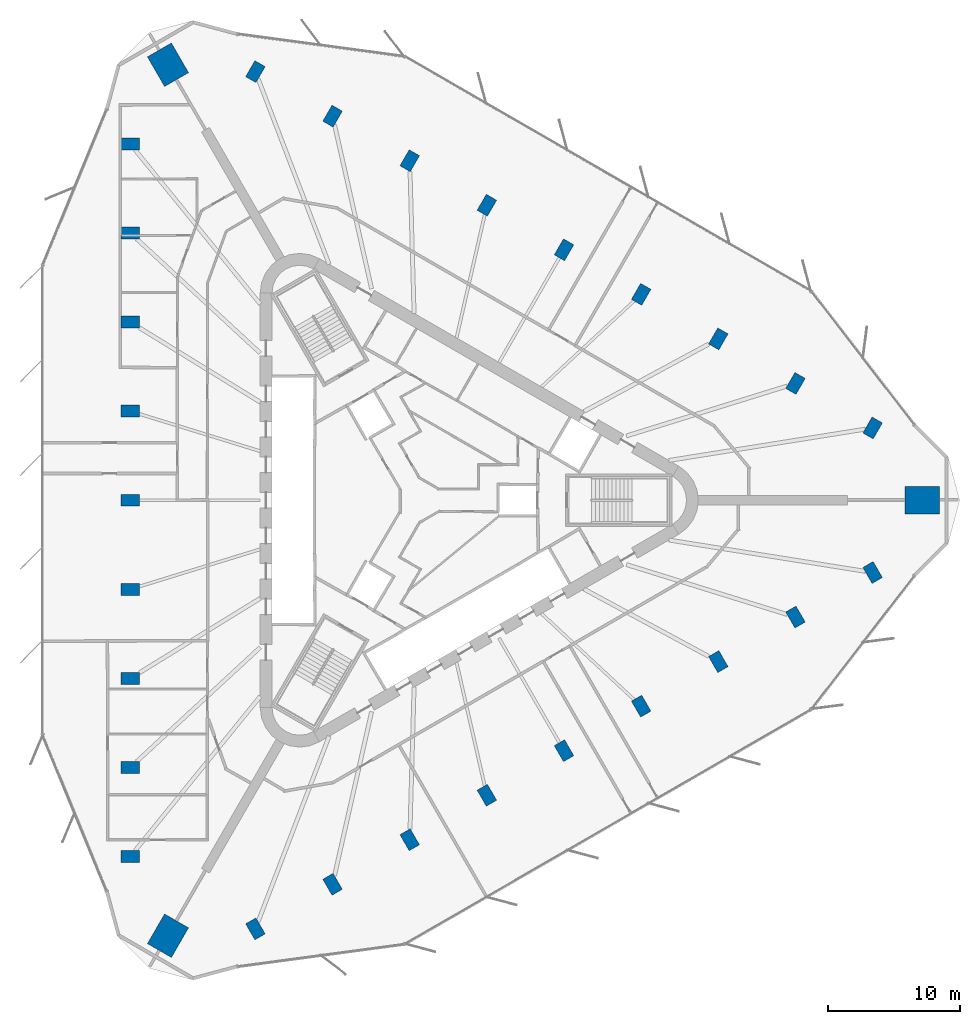
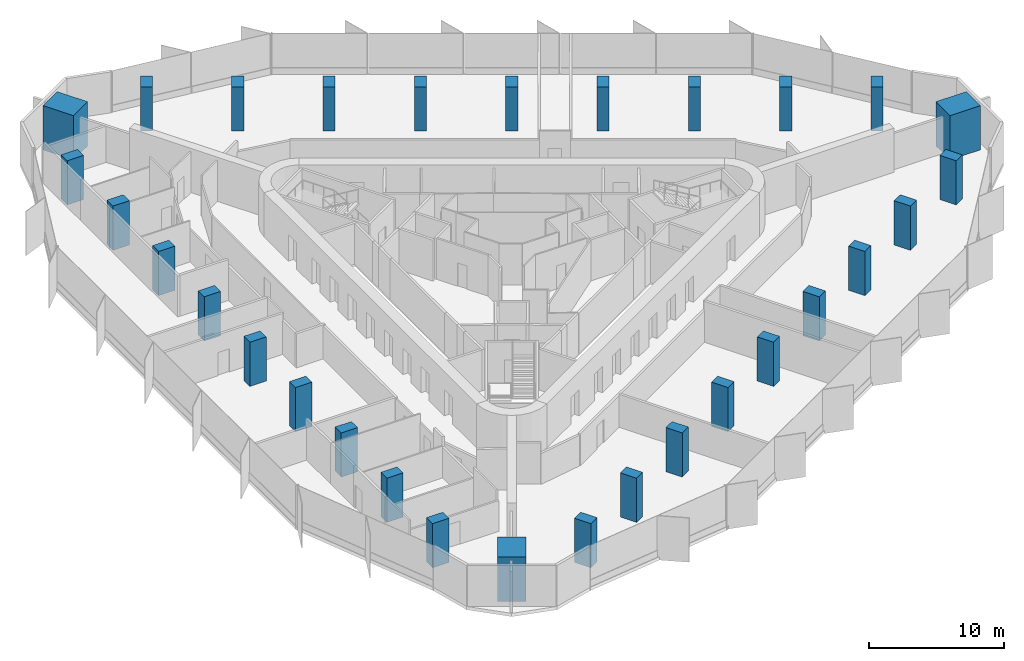
# One storey, part 1 of 14: 30 columns.
"""IFC4 building model written with IfcOpenShell, lengths in metres."""

from ifc_helpers import new_model, si_unit, direction, frame, origin, origin_2d, place, context, subcontext, project, spatial, rectangle, extrude, material, material_profile, profile_set, type_object, element, save


model = new_model("IFC4")

# Units and contexts
model_context = context("Model", 3, precision=1e-05, world=origin(), true_north=direction((0.0, 1.0)))
body_context = subcontext(model_context, "Body", "Model", "MODEL_VIEW")
ifc_project = project(units=[si_unit("LENGTHUNIT", "METRE"), si_unit("AREAUNIT", "SQUARE_METRE"), si_unit("VOLUMEUNIT", "CUBIC_METRE"), si_unit("PLANEANGLEUNIT", "RADIAN"), si_unit("MASSUNIT", "GRAM", prefix="KILO")], contexts=[model_context])

# Site, building, storey
site_placement = place(None, origin())
site = spatial("IfcSite", under=ifc_project, at=site_placement, CompositionType="ELEMENT")
building_placement = place(site_placement, origin())
building = spatial("IfcBuilding", under=site, at=building_placement, Name="Tanit Gate Tower", CompositionType="ELEMENT")
storey_placement = place(building_placement, frame((0.0, 0.0, 237.199951171875)))
storey = spatial("IfcBuildingStorey", under=building, at=storey_placement, Name="L53", CompositionType="ELEMENT", Elevation=237.199951171875)

# Columns
ifc_material_1 = material(Name="Concrete C60/75", Category="concrete")
ifc_material_profile_1 = material_profile(ifc_material_1, rectangle(XDim=2.60009765625, YDim=2.10009765625, at=origin_2d()), Name="RC 2600x2100")
ifc_profile_set_1 = profile_set([ifc_material_profile_1], Name="Concrete C60/75")
column_type_1 = type_object("IfcColumnType", Name="MEGA COLUMN 2600x2100 C60/75", PredefinedType="COLUMN", material=ifc_profile_set_1)
for number, where, z_axis, x_axis, name in (
    (1, (38.219482421875, 0.0, 0.0), (0.0, 0.0, 1.0), (1.0, 0.0, 0.0), "MEGA COLUMN"),
    (2, (-19.10986328125, 33.09912109375, 0.0), (0.0, 0.0, 1.0), (-0.5, 0.866025403784, 0.0), "MEGA COLUMN"),
    (3, (-19.10986328125, -33.09912109375, 0.0), (0.0, 0.0, 1.0), (-0.5, -0.866025403784, 0.0), "MEGA COLUMN"),
):
    element("IfcColumn", number, at=place(storey_placement, frame(where, z_axis=z_axis, x_axis=x_axis)), inside=storey, type_object=column_type_1, Name=name, PredefinedType="COLUMN", context=body_context, shape_type="SweptSolid", body=[
        extrude(rectangle(XDim=2.60009765625, YDim=2.10009765625, at=origin_2d()), origin(), (0.0, 0.0, 1.0), 4.0),
    ])
ifc_material_2 = material(Name="Concrete C50/60", Category="concrete")
ifc_material_profile_2 = material_profile(ifc_material_2, rectangle(XDim=1.39990234375, YDim=0.89990234375, at=origin_2d()), Name="RC 1400x900")
ifc_profile_set_2 = profile_set([ifc_material_profile_2], Name="Concrete C50/60")
column_type_2 = type_object("IfcColumnType", Name="PERIMETER COLUMN 1400x900 C50/60", PredefinedType="COLUMN", material=ifc_profile_set_2)
for number, where, z_axis, x_axis, name in (
    (4, (-21.979248046875, 27.083984375, 0.0), (0.0, 0.0, 1.0), (-1.0, 0.0, 0.0), "PERIMETER COLUMN"),
    (5, (-21.979248046875, 20.31298828125, 0.0), (0.0, 0.0, 1.0), (-1.0, 0.0, 0.0), "PERIMETER COLUMN"),
    (6, (-21.979248046875, 13.5419921875, 0.0), (0.0, 0.0, 1.0), (-1.0, 0.0, 0.0), "PERIMETER COLUMN"),
    (7, (-21.979248046875, 6.77099609375, 0.0), (0.0, 0.0, 1.0), (-1.0, 0.0, 0.0), "PERIMETER COLUMN"),
    (8, (-21.979248046875, 0.0, 0.0), (0.0, 0.0, 1.0), (-1.0, 0.0, 0.0), "PERIMETER COLUMN"),
    (9, (-21.979248046875, -6.77099609375, 0.0), (0.0, 0.0, 1.0), (-1.0, 0.0, 0.0), "PERIMETER COLUMN"),
    (10, (-21.979248046875, -13.5419921875, 0.0), (0.0, 0.0, 1.0), (-1.0, 0.0, 0.0), "PERIMETER COLUMN"),
    (11, (-21.979248046875, -20.31298828125, 0.0), (0.0, 0.0, 1.0), (-1.0, 0.0, 0.0), "PERIMETER COLUMN"),
    (12, (-21.979248046875, -27.083984375, 0.0), (0.0, 0.0, 1.0), (-1.0, 0.0, 0.0), "PERIMETER COLUMN"),
    (13, (34.445068359375, 5.49267578125, 0.0), (0.0, 0.0, 1.0), (0.5, 0.866025403784, 0.0), "PERIMETER COLUMN"),
    (14, (28.5810546875, 8.878173828125, 0.0), (0.0, 0.0, 1.0), (0.5, 0.866025403784, 0.0), "PERIMETER COLUMN"),
    (15, (22.71728515625, 12.263671875, 0.0), (0.0, 0.0, 1.0), (0.5, 0.866025403784, 0.0), "PERIMETER COLUMN"),
    (16, (16.853515625, 15.649169921875, 0.0), (0.0, 0.0, 1.0), (0.5, 0.866025403784, 0.0), "PERIMETER COLUMN"),
    (17, (10.989501953125, 19.03466796875, 0.0), (0.0, 0.0, 1.0), (0.5, 0.866025403784, 0.0), "PERIMETER COLUMN"),
    (18, (5.125732421875, 22.419921875, 0.0), (0.0, 0.0, 1.0), (0.5, 0.866025403784, 0.0), "PERIMETER COLUMN"),
    (19, (-0.738037109375, 25.805419921875, 0.0), (0.0, 0.0, 1.0), (0.5, 0.866025403784, 0.0), "PERIMETER COLUMN"),
    (20, (-6.601806640625, 29.19091796875, 0.0), (0.0, 0.0, 1.0), (0.5, 0.866025403784, 0.0), "PERIMETER COLUMN"),
    (21, (-12.4658203125, 32.576416015625, 0.0), (0.0, 0.0, 1.0), (0.5, 0.866025403784, 0.0), "PERIMETER COLUMN"),
    (22, (-12.4658203125, -32.576416015625, 0.0), (0.0, 0.0, 1.0), (0.5, -0.866025403784, 0.0), "PERIMETER COLUMN"),
    (23, (-6.601806640625, -29.19091796875, 0.0), (0.0, 0.0, 1.0), (0.5, -0.866025403784, 0.0), "PERIMETER COLUMN"),
    (24, (-0.738037109375, -25.805419921875, 0.0), (0.0, 0.0, 1.0), (0.5, -0.866025403784, 0.0), "PERIMETER COLUMN"),
    (25, (5.125732421875, -22.419921875, 0.0), (0.0, 0.0, 1.0), (0.5, -0.866025403784, 0.0), "PERIMETER COLUMN"),
    (26, (10.989501953125, -19.03466796875, 0.0), (0.0, 0.0, 1.0), (0.5, -0.866025403784, 0.0), "PERIMETER COLUMN"),
    (27, (16.853515625, -15.649169921875, 0.0), (0.0, 0.0, 1.0), (0.5, -0.866025403784, 0.0), "PERIMETER COLUMN"),
    (28, (22.71728515625, -12.263671875, 0.0), (0.0, 0.0, 1.0), (0.5, -0.866025403784, 0.0), "PERIMETER COLUMN"),
    (29, (28.5810546875, -8.878173828125, 0.0), (0.0, 0.0, 1.0), (0.5, -0.866025403784, 0.0), "PERIMETER COLUMN"),
    (30, (34.445068359375, -5.49267578125, 0.0), (0.0, 0.0, 1.0), (0.5, -0.866025403784, 0.0), "PERIMETER COLUMN"),
):
    element("IfcColumn", number, at=place(storey_placement, frame(where, z_axis=z_axis, x_axis=x_axis)), inside=storey, type_object=column_type_2, Name=name, PredefinedType="COLUMN", context=body_context, shape_type="SweptSolid", body=[
        extrude(rectangle(XDim=1.39990234375, YDim=0.89990234375, at=origin_2d()), origin(), (0.0, 0.0, 1.0), 4.0),
    ])

save(model, "model.ifc")
